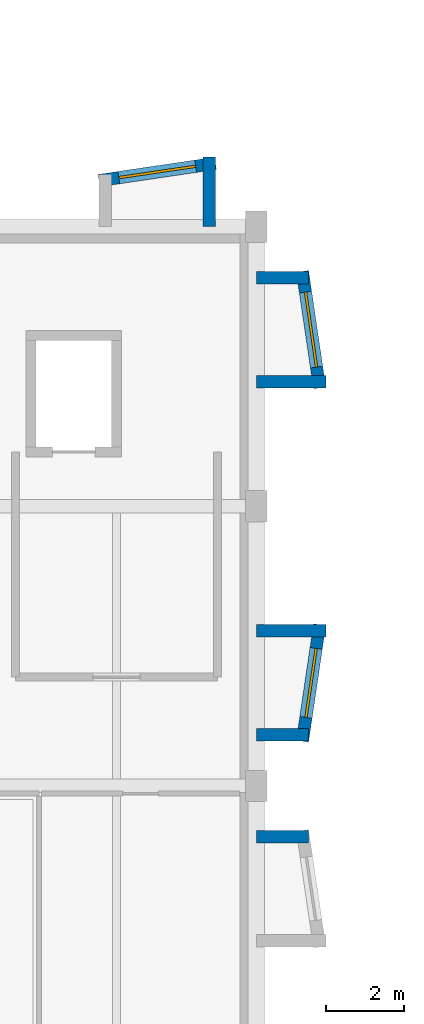
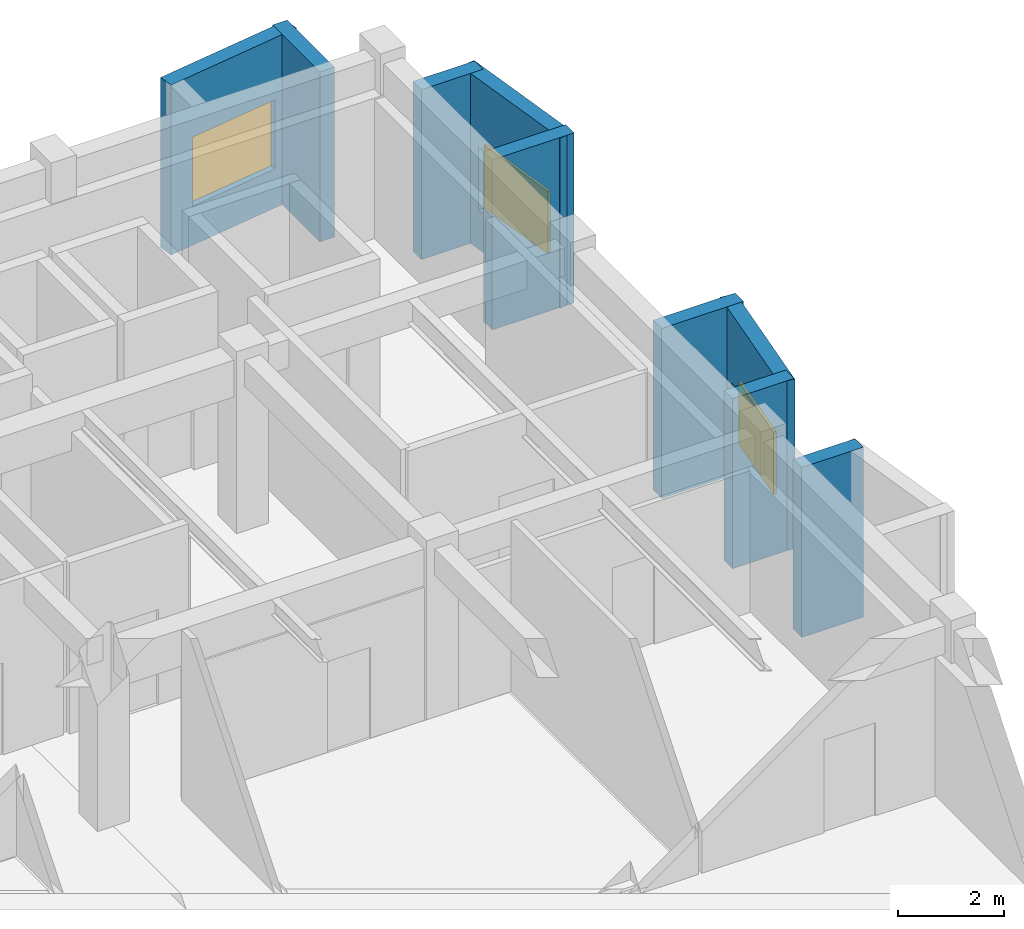
# One storey, part 92 of 99: 9 walls, 3 windows, 3 openings.
"""IFC4 building model written with IfcOpenShell, lengths in metres."""

from ifc_helpers import new_model, si_unit, direction, frame, frame_2d, origin, place, context, subcontext, project, spatial, rectangle, extrude, material, layer, layer_set, type_object, element, fill, save


model = new_model("IFC4")

# Units and contexts
model_context = context("Model", 3, precision=1e-05, world=origin(), true_north=direction((0.0, 1.0)))
body_context = subcontext(model_context, "Body", "Model", "MODEL_VIEW")
ifc_project = project(units=[si_unit("LENGTHUNIT", "METRE"), si_unit("AREAUNIT", "SQUARE_METRE"), si_unit("VOLUMEUNIT", "CUBIC_METRE"), si_unit("PLANEANGLEUNIT", "RADIAN"), si_unit("MASSUNIT", "GRAM", prefix="KILO")], contexts=[model_context])

# Site, building, storey
site_placement = place(None, origin())
site = spatial("IfcSite", under=ifc_project, at=site_placement, CompositionType="ELEMENT")
building_placement = place(site_placement, origin())
building = spatial("IfcBuilding", under=site, at=building_placement, Name="Bramveld Media Centre", CompositionType="ELEMENT")
storey_placement = place(building_placement, frame((0.0, 0.0, 13.800048828125)))
storey = spatial("IfcBuildingStorey", under=building, at=storey_placement, Name="L03", CompositionType="ELEMENT", Elevation=13.800048828125)

# Wall
ifc_material_1 = material(Name="Precast concrete C40/50 & brick-slip faceted bay cheek wall", Category="masonry")
ifc_layer = layer(ifc_material_1, 0.320068359375)
ifc_layer_set = layer_set([ifc_layer], Name="Precast concrete C40/50 & brick-slip faceted bay cheek wall")
wall_type = type_object("IfcWallType", Name="EW-FACET-320", PredefinedType="SOLIDWALL", material=ifc_layer_set)
wall_1_placement = place(storey_placement, frame((160.0, 96.2900390625, 0.0), z_axis=(0.0, 0.0, 1.0), x_axis=(1.0, 0.0, 0.0)))
element("IfcWall", 1, at=wall_1_placement, inside=storey, type_object=wall_type, Name="V7 L03 E faceted bay cheek wall", PredefinedType="SOLIDWALL", context=body_context, shape_type="SweptSolid", body=[
    extrude(rectangle(XDim=1.35009765625, YDim=0.320068359375, at=frame_2d((0.675048828125, 0.0))), origin(), (0.0, 0.0, 1.0), 3.929931640625),
])

# Wall, opening, window
wall_2_placement = place(storey_placement, frame((161.18994140625, 98.75, 0.0), z_axis=(0.0, 0.0, 1.0), x_axis=(0.146119746268, 0.989266910268, 0.0)))
wall_2 = element("IfcWall", 2, at=wall_2_placement, inside=storey, type_object=wall_type, Name="V7 L03 E angled faceted bay front wall 3", PredefinedType="SOLIDWALL", context=body_context, shape_type="SweptSolid", body=[
    extrude(rectangle(XDim=3.032470703125, YDim=0.320068359375, at=frame_2d((1.51611328125, 0.0))), origin(), (0.0, 0.0, 1.0), 3.929931640625),
])
opening_1_placement = place(wall_2_placement, frame((0.6162109375, 0.0, 0.89990234375)))
opening_1 = element("IfcOpeningElement", 3, at=opening_1_placement, cuts=wall_2, Name="Opening W-26", PredefinedType="OPENING", context=body_context, shape_type="SweptSolid", body=[
    extrude(rectangle(XDim=1.800048828125, YDim=1.449951171875, at=frame_2d((0.89990234375, 0.72509765625))), frame((0.0, 0.171875, 0.0), z_axis=(0.0, -1.0, 0.0), x_axis=(1.0, 0.0, 0.0)), (0.0, 0.0, 1.0), 0.343994140625),
])
ifc_material_2 = material(Name="Thermally broken anodized bronze aluminium frame with triple acoustic glazing", Category="aluminium")
window_type_1 = type_object("IfcWindowType", Name="WIN-FAC-26", PartitioningType="SINGLE_PANEL", PredefinedType="WINDOW", material=ifc_material_2)
window_1_placement = place(opening_1_placement, origin())
window_1 = element("IfcWindow", 4, at=window_1_placement, inside=storey, type_object=window_type_1, Name="V7 L03 E faceted bay window 3", OverallHeight=1.449951171875, OverallWidth=1.800048828125, PartitioningType="SINGLE_PANEL", PredefinedType="WINDOW", context=body_context, shape_type="SweptSolid", body=[
    extrude(rectangle(XDim=1.800048828125, YDim=1.449951171875, at=frame_2d((0.89990234375, 0.72509765625))), frame((0.0, 0.030029296875, 0.0), z_axis=(0.0, -1.0, 0.0), x_axis=(1.0, 0.0, 0.0)), (0.0, 0.0, 1.0), 0.06005859375),
])
fill(opening_1, window_1)

# Walls
wall_3_placement = place(storey_placement, frame((160.0, 98.909912109375, 0.0), z_axis=(0.0, 0.0, 1.0), x_axis=(1.0, 0.0, 0.0)))
element("IfcWall", 5, at=wall_3_placement, inside=storey, type_object=wall_type, Name="V7 L03 E faceted bay cheek wall", PredefinedType="SOLIDWALL", context=body_context, shape_type="SweptSolid", body=[
    extrude(rectangle(XDim=1.35009765625, YDim=0.320068359375, at=frame_2d((0.675048828125, 0.0))), origin(), (0.0, 0.0, 1.0), 3.929931640625),
])
wall_4_placement = place(storey_placement, frame((160.0, 101.590087890625, 0.0), z_axis=(0.0, 0.0, 1.0), x_axis=(1.0, 0.0, 0.0)))
element("IfcWall", 6, at=wall_4_placement, inside=storey, type_object=wall_type, Name="V7 L03 E faceted bay cheek wall", PredefinedType="SOLIDWALL", context=body_context, shape_type="SweptSolid", body=[
    extrude(rectangle(XDim=1.79296875, YDim=0.320068359375, at=frame_2d((0.896484375, 0.0))), origin(), (0.0, 0.0, 1.0), 3.929931640625),
])

# Wall, opening, window
wall_5_placement = place(storey_placement, frame((161.633056640625, 107.85009765625, 0.0), z_axis=(0.0, 0.0, 1.0), x_axis=(-0.146119746268, 0.989266910268, 0.0)))
wall_5 = element("IfcWall", 7, at=wall_5_placement, inside=storey, type_object=wall_type, Name="V7 L03 E angled faceted bay front wall 4", PredefinedType="SOLIDWALL", context=body_context, shape_type="SweptSolid", body=[
    extrude(rectangle(XDim=3.032470703125, YDim=0.320068359375, at=frame_2d((1.51611328125, 0.0))), origin(), (0.0, 0.0, 1.0), 3.929931640625),
])
opening_2_placement = place(wall_5_placement, frame((0.541259765625, 0.0, 0.89990234375)))
opening_2 = element("IfcOpeningElement", 8, at=opening_2_placement, cuts=wall_5, Name="Opening W-27", PredefinedType="OPENING", context=body_context, shape_type="SweptSolid", body=[
    extrude(rectangle(XDim=1.949951171875, YDim=1.449951171875, at=frame_2d((0.97509765625, 0.72509765625))), frame((0.0, 0.171875, 0.0), z_axis=(0.0, -1.0, 0.0), x_axis=(1.0, 0.0, 0.0)), (0.0, 0.0, 1.0), 0.343994140625),
])
ifc_material_3 = material(Name="Thermally broken anodized bronze aluminium frame with triple acoustic glazing", Category="aluminium")
window_type_2 = type_object("IfcWindowType", Name="WIN-FAC-27", PartitioningType="SINGLE_PANEL", PredefinedType="WINDOW", material=ifc_material_3)
window_2_placement = place(opening_2_placement, origin())
window_2 = element("IfcWindow", 9, at=window_2_placement, inside=storey, type_object=window_type_2, Name="V7 L03 E faceted bay window 4", OverallHeight=1.449951171875, OverallWidth=1.949951171875, PartitioningType="SINGLE_PANEL", PredefinedType="WINDOW", context=body_context, shape_type="SweptSolid", body=[
    extrude(rectangle(XDim=1.949951171875, YDim=1.449951171875, at=frame_2d((0.97509765625, 0.72509765625))), frame((0.0, 0.030029296875, 0.0), z_axis=(0.0, -1.0, 0.0), x_axis=(1.0, 0.0, 0.0)), (0.0, 0.0, 1.0), 0.06005859375),
])
fill(opening_2, window_2)

# Walls
wall_6_placement = place(storey_placement, frame((160.0, 108.010009765625, 0.0), z_axis=(0.0, 0.0, 1.0), x_axis=(1.0, 0.0, 0.0)))
element("IfcWall", 10, at=wall_6_placement, inside=storey, type_object=wall_type, Name="V7 L03 E faceted bay cheek wall", PredefinedType="SOLIDWALL", context=body_context, shape_type="SweptSolid", body=[
    extrude(rectangle(XDim=1.79296875, YDim=0.320068359375, at=frame_2d((0.896484375, 0.0))), origin(), (0.0, 0.0, 1.0), 3.929931640625),
])
wall_7_placement = place(storey_placement, frame((160.0, 110.68994140625, 0.0), z_axis=(0.0, 0.0, 1.0), x_axis=(1.0, 0.0, 0.0)))
element("IfcWall", 11, at=wall_7_placement, inside=storey, type_object=wall_type, Name="V7 L03 E faceted bay cheek wall", PredefinedType="SOLIDWALL", context=body_context, shape_type="SweptSolid", body=[
    extrude(rectangle(XDim=1.35009765625, YDim=0.320068359375, at=frame_2d((0.675048828125, 0.0))), origin(), (0.0, 0.0, 1.0), 3.929931640625),
])

# Wall, opening, window
wall_8_placement = place(storey_placement, frame((158.949951171875, 113.633056640625, 0.0), z_axis=(0.0, 0.0, 1.0), x_axis=(-0.989266910268, -0.146119746268, 0.0)))
wall_8 = element("IfcWall", 12, at=wall_8_placement, inside=storey, type_object=wall_type, Name="V7 L03 N angled faceted bay front wall 4", PredefinedType="SOLIDWALL", context=body_context, shape_type="SweptSolid", body=[
    extrude(rectangle(XDim=3.032470703125, YDim=0.320068359375, at=frame_2d((1.51611328125, 0.0))), origin(), (0.0, 0.0, 1.0), 3.929931640625),
])
opening_3_placement = place(wall_8_placement, frame((0.516357421875, 0.0, 0.89990234375)))
opening_3 = element("IfcOpeningElement", 13, at=opening_3_placement, cuts=wall_8, Name="Opening W-31", PredefinedType="OPENING", context=body_context, shape_type="SweptSolid", body=[
    extrude(rectangle(XDim=2.0, YDim=1.60009765625, at=frame_2d((1.0, 0.800048828125))), frame((0.0, 0.171875, 0.0), z_axis=(0.0, -1.0, 0.0), x_axis=(1.0, 0.0, 0.0)), (0.0, 0.0, 1.0), 0.343994140625),
])
ifc_material_4 = material(Name="Thermally broken anodized bronze aluminium frame with triple acoustic glazing", Category="aluminium")
window_type_3 = type_object("IfcWindowType", Name="WIN-FAC-31", PartitioningType="SINGLE_PANEL", PredefinedType="WINDOW", material=ifc_material_4)
window_3_placement = place(opening_3_placement, origin())
window_3 = element("IfcWindow", 14, at=window_3_placement, inside=storey, type_object=window_type_3, Name="V7 L03 N faceted bay window 4", OverallHeight=1.60009765625, OverallWidth=2.0, PartitioningType="SINGLE_PANEL", PredefinedType="WINDOW", context=body_context, shape_type="SweptSolid", body=[
    extrude(rectangle(XDim=2.0, YDim=1.60009765625, at=frame_2d((1.0, 0.800048828125))), frame((0.0, 0.030029296875, 0.0), z_axis=(0.0, -1.0, 0.0), x_axis=(1.0, 0.0, 0.0)), (0.0, 0.0, 1.0), 0.06005859375),
])
fill(opening_3, window_3)

# Wall
wall_9_placement = place(storey_placement, frame((158.7900390625, 112.0, 0.0), z_axis=(0.0, 0.0, 1.0), x_axis=(0.0, 1.0, 0.0)))
element("IfcWall", 15, at=wall_9_placement, inside=storey, type_object=wall_type, Name="V7 L03 N faceted bay cheek wall", PredefinedType="SOLIDWALL", context=body_context, shape_type="SweptSolid", body=[
    extrude(rectangle(XDim=1.79296875, YDim=0.320068359375, at=frame_2d((0.896484375, 0.0))), origin(), (0.0, 0.0, 1.0), 3.929931640625),
])

save(model, "model.ifc")
